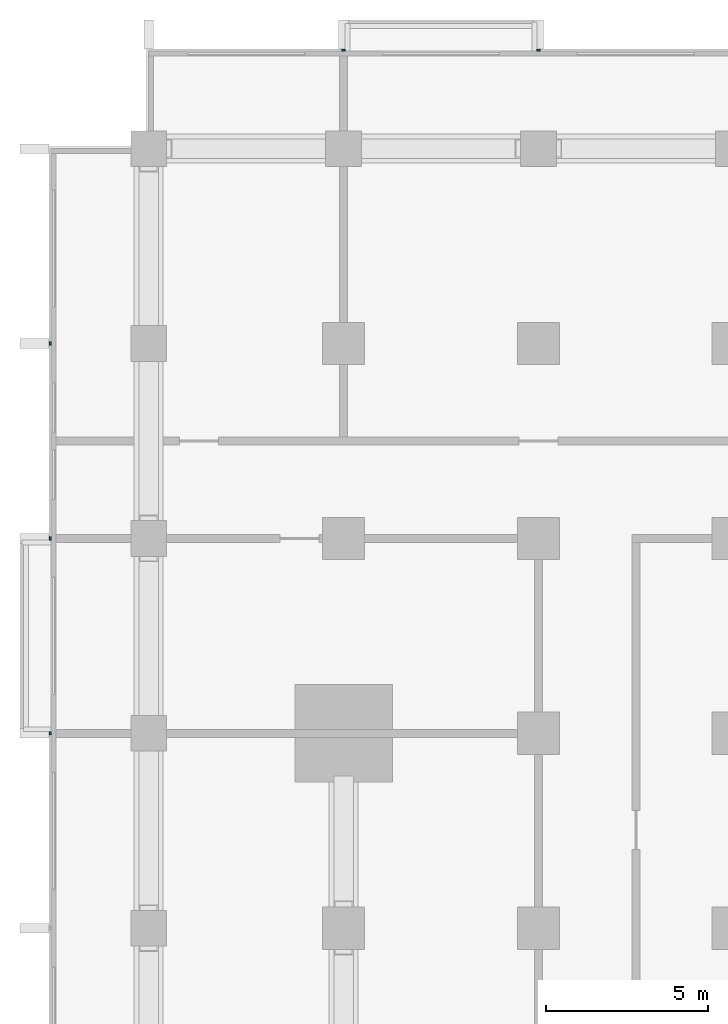
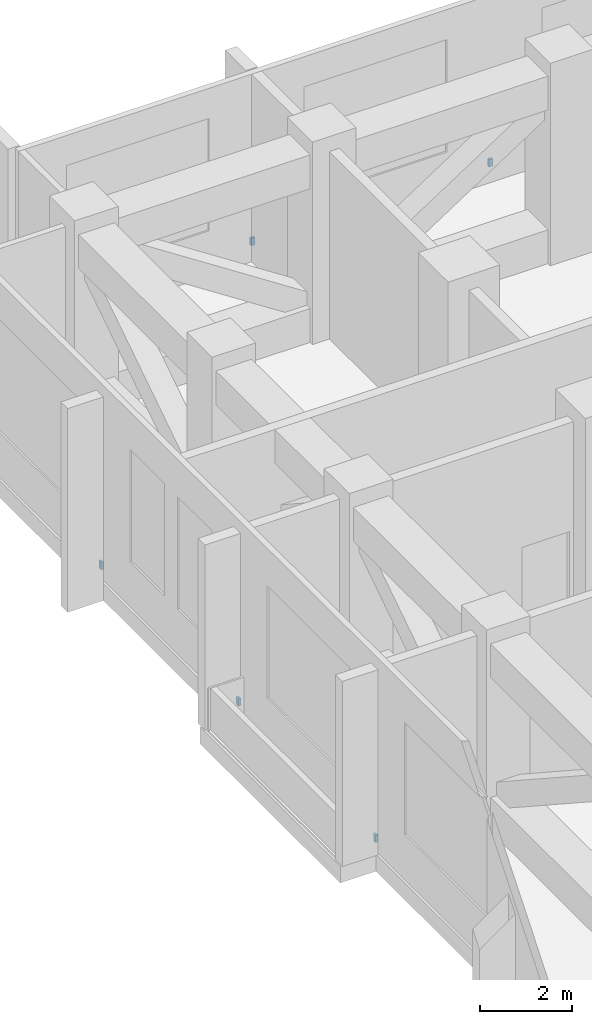
# One storey, part 10 of 13: 5 discrete accessories.
"""IFC4 building model written with IfcOpenShell, lengths in metres."""

from ifc_helpers import new_model, si_unit, direction, frame, origin, origin_2d, place, context, subcontext, project, spatial, rectangle, extrude, material, type_object, element, save


model = new_model("IFC4")

# Units and contexts
model_context = context("Model", 3, precision=1e-05, world=origin(), true_north=direction((0.0, 1.0)))
body_context = subcontext(model_context, "Body", "Model", "MODEL_VIEW")
ifc_project = project(units=[si_unit("LENGTHUNIT", "METRE"), si_unit("AREAUNIT", "SQUARE_METRE"), si_unit("VOLUMEUNIT", "CUBIC_METRE"), si_unit("PLANEANGLEUNIT", "RADIAN"), si_unit("MASSUNIT", "GRAM", prefix="KILO")], contexts=[model_context])

# Site, building, storey
site_placement = place(None, origin())
site = spatial("IfcSite", under=ifc_project, at=site_placement, CompositionType="ELEMENT")
building_placement = place(site_placement, origin())
building = spatial("IfcBuilding", under=site, at=building_placement, Name="Finial Court Residences", CompositionType="ELEMENT")
storey_placement = place(building_placement, frame((0.0, 0.0, 75.699951171875)))
storey = spatial("IfcBuildingStorey", under=building, at=storey_placement, Name="L18", CompositionType="ELEMENT", Elevation=75.699951171875)

# Discrete accessories
ifc_material = material(Name="Stainless steel 316", Category="steel")
discrete_accessory_type = type_object("IfcDiscreteAccessoryType", Name="Fin bracket, stainless steel 100 x 60 x 200", PredefinedType="BRACKET", material=ifc_material)
for number, where, z_axis, x_axis, name in (
    (1, (-16.5, 28.530029296875, 0.30029296875), (0.0, 0.0, 1.0), (1.0, 0.0, 0.0), "E-L18-FIN-N2-BRK"),
    (2, (-10.5, 28.530029296875, 0.30029296875), (0.0, 0.0, 1.0), (1.0, 0.0, 0.0), "E-L18-FIN-N3-BRK"),
):
    element("IfcDiscreteAccessory", number, at=place(storey_placement, frame(where, z_axis=z_axis, x_axis=x_axis)), inside=storey, type_object=discrete_accessory_type, Name=name, PredefinedType="BRACKET", context=body_context, shape_type="SweptSolid", body=[
        extrude(rectangle(XDim=0.10009765625, YDim=0.06005859375, at=origin_2d()), origin(), (0.0, 0.0, 1.0), 0.199951171875),
    ])
for number, where, z_axis, x_axis, name in (
    (3, (-25.530029296875, 7.5, 0.30029296875), (0.0, 0.0, 1.0), (1.0, 0.0, 0.0), "E-L18-FIN-W31-BRK"),
    (4, (-25.530029296875, 13.5, 0.30029296875), (0.0, 0.0, 1.0), (1.0, 0.0, 0.0), "E-L18-FIN-W32-BRK"),
    (5, (-25.530029296875, 19.5, 0.30029296875), (0.0, 0.0, 1.0), (1.0, 0.0, 0.0), "E-L18-FIN-W33-BRK"),
):
    element("IfcDiscreteAccessory", number, at=place(storey_placement, frame(where, z_axis=z_axis, x_axis=x_axis)), inside=storey, type_object=discrete_accessory_type, Name=name, PredefinedType="BRACKET", context=body_context, shape_type="SweptSolid", body=[
        extrude(rectangle(XDim=0.06005859375, YDim=0.10009765625, at=origin_2d()), origin(), (0.0, 0.0, 1.0), 0.199951171875),
    ])

save(model, "model.ifc")
